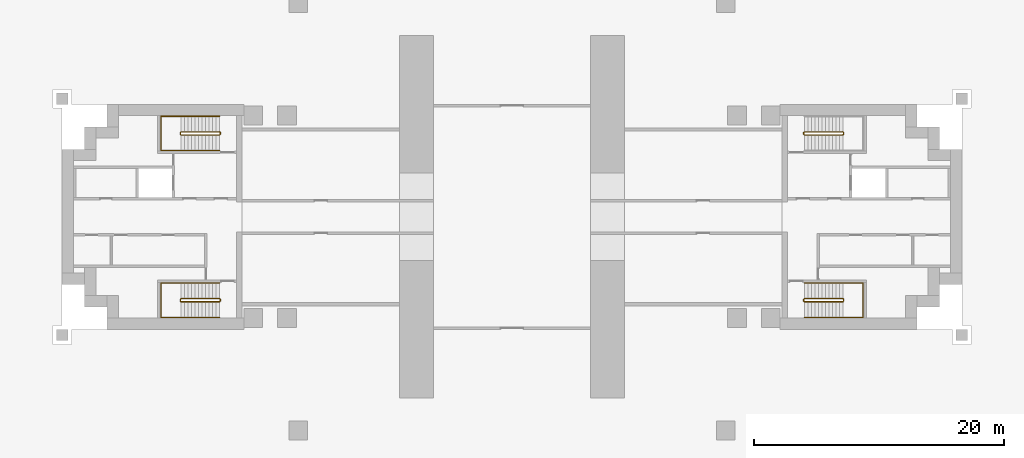
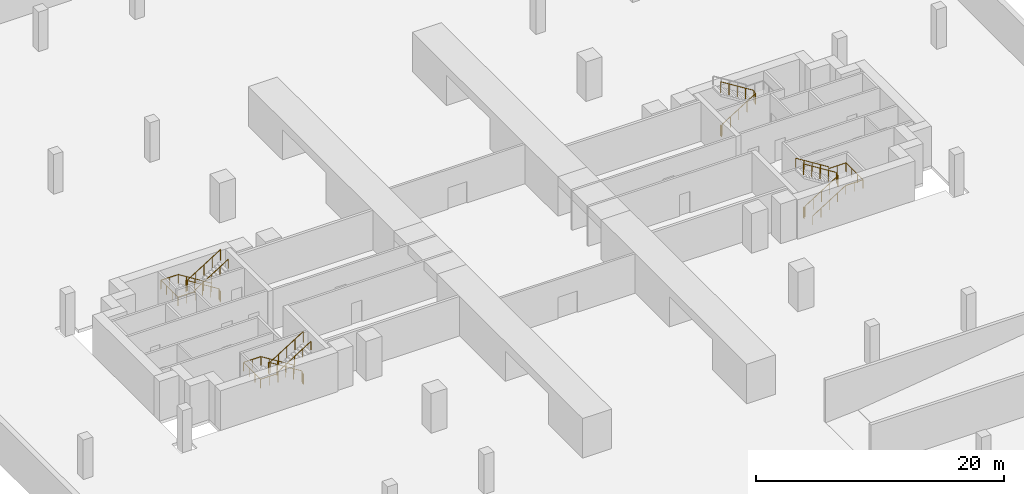
# One storey, part 7 of 8: 7 railings.
"""IFC4 building model written with IfcOpenShell, lengths in metres."""

from ifc_helpers import new_model, si_unit, direction, frame, origin, origin_2d, place, context, subcontext, project, spatial, rectangle, extrude, material, type_object, element, save


model = new_model("IFC4")

# Units and contexts
model_context = context("Model", 3, precision=1e-05, world=origin(), true_north=direction((0.0, 1.0)))
body_context = subcontext(model_context, "Body", "Model", "MODEL_VIEW")
ifc_project = project(units=[si_unit("LENGTHUNIT", "METRE"), si_unit("AREAUNIT", "SQUARE_METRE"), si_unit("VOLUMEUNIT", "CUBIC_METRE"), si_unit("PLANEANGLEUNIT", "RADIAN"), si_unit("MASSUNIT", "GRAM", prefix="KILO")], contexts=[model_context])

# Site, building, storey
site_placement = place(None, origin())
site = spatial("IfcSite", under=ifc_project, at=site_placement, CompositionType="ELEMENT")
building_placement = place(site_placement, origin())
building = spatial("IfcBuilding", under=site, at=building_placement, Name="Perihelion Cross Residences", CompositionType="ELEMENT")
storey_placement = place(building_placement, frame((0.0, 0.0, -12.89990234375)))
storey = spatial("IfcBuildingStorey", under=building, at=storey_placement, Name="B3", CompositionType="ELEMENT", Elevation=-12.89990234375)

# Railings
ifc_material_1 = material(Name="Stainless steel", Category="steel")
railing_type_1 = type_object("IfcRailingType", Name="Stair guard 1100", PredefinedType="GUARDRAIL", material=ifc_material_1)
railing_1_placement = place(storey_placement, frame((23.35009765625, 6.75, 0.0)))
element("IfcRailing", 1, at=railing_1_placement, inside=storey, type_object=railing_type_1, Name="B3 ST-E1 stair guard 1", PredefinedType="GUARDRAIL", context=body_context, shape_type="SweptSolid", body=[
    extrude(rectangle(XDim=0.048095703125, YDim=0.048095703125, at=origin_2d()), frame((0.0, 0.0, 1.076171875), z_axis=(0.0, -1.0, 0.0), x_axis=(1.0, 0.0, 0.0)), (0.0, 0.0, 1.0), 0.14990234375),
    extrude(rectangle(XDim=0.048095703125, YDim=0.048095703125, at=origin_2d()), frame((0.0, -0.14990234375, 1.076171875), z_axis=(0.264179342666, -0.265474339444, 0.927217692888), x_axis=(0.708833529934, 0.705375805398, 0.0)), (0.0, 0.0, 1.0), 0.1884765625),
    extrude(rectangle(XDim=0.048095703125, YDim=0.048095703125, at=origin_2d()), frame((0.0498046875, -0.199951171875, 1.2509765625), z_axis=(0.847998304005, 0.0, 0.529998940003), x_axis=(0.0, 1.0, 0.0)), (0.0, 0.0, 1.0), 3.632080078125),
    extrude(rectangle(XDim=0.048095703125, YDim=0.048095703125, at=origin_2d()), frame((3.1298828125, -0.199951171875, 3.17578125), z_axis=(0.707106781187, 0.707106781187, 0.0), x_axis=(-0.707106781187, 0.707106781187, 0.0)), (0.0, 0.0, 1.0), 0.07080078125),
    extrude(rectangle(XDim=0.048095703125, YDim=0.048095703125, at=origin_2d()), frame((3.179931640625, -0.14990234375, 3.17578125), z_axis=(0.0, 1.0, 0.0), x_axis=(-1.0, 0.0, 0.0)), (0.0, 0.0, 1.0), 0.14990234375),
    extrude(rectangle(XDim=0.048095703125, YDim=0.048095703125, at=origin_2d()), frame((3.179931640625, 0.0, 3.17578125), z_axis=(-0.265065253269, 0.265065253269, 0.927081885822), x_axis=(-0.707106781187, -0.707106781187, 0.0)), (0.0, 0.0, 1.0), 0.188720703125),
    extrude(rectangle(XDim=0.048095703125, YDim=0.048095703125, at=origin_2d()), frame((3.1298828125, 0.050048828125, 3.35107421875), z_axis=(-0.847998304005, 0.0, 0.529998940003), x_axis=(0.0, -1.0, 0.0)), (0.0, 0.0, 1.0), 3.632080078125),
    extrude(rectangle(XDim=0.0419921875, YDim=0.0419921875, at=origin_2d()), origin(), (0.0, 0.0, 1.0), 1.052001953125),
    extrude(rectangle(XDim=0.0419921875, YDim=0.0419921875, at=origin_2d()), frame((0.0, -0.14990234375, 0.0)), (0.0, 0.0, 1.0), 1.052001953125),
    extrude(rectangle(XDim=0.0419921875, YDim=0.0419921875, at=origin_2d()), frame((0.0498046875, -0.199951171875, 0.1748046875)), (0.0, 0.0, 1.0), 1.052001953125),
    extrude(rectangle(XDim=0.0419921875, YDim=0.0419921875, at=origin_2d()), frame((0.81982421875, -0.199951171875, 0.656005859375)), (0.0, 0.0, 1.0), 1.052001953125),
    extrude(rectangle(XDim=0.0419921875, YDim=0.0419921875, at=origin_2d()), frame((1.58984375, -0.199951171875, 1.13720703125)), (0.0, 0.0, 1.0), 1.052001953125),
    extrude(rectangle(XDim=0.0419921875, YDim=0.0419921875, at=origin_2d()), frame((2.35986328125, -0.199951171875, 1.61865234375)), (0.0, 0.0, 1.0), 1.052001953125),
    extrude(rectangle(XDim=0.0419921875, YDim=0.0419921875, at=origin_2d()), frame((3.1298828125, -0.199951171875, 2.099853515625)), (0.0, 0.0, 1.0), 1.052001953125),
    extrude(rectangle(XDim=0.0419921875, YDim=0.0419921875, at=origin_2d()), frame((3.179931640625, -0.14990234375, 2.099853515625)), (0.0, 0.0, 1.0), 1.052001953125),
    extrude(rectangle(XDim=0.0419921875, YDim=0.0419921875, at=origin_2d()), frame((3.179931640625, 0.0, 2.099853515625)), (0.0, 0.0, 1.0), 1.052001953125),
    extrude(rectangle(XDim=0.0419921875, YDim=0.0419921875, at=origin_2d()), frame((3.1298828125, 0.050048828125, 2.27490234375)), (0.0, 0.0, 1.0), 1.052001953125),
    extrude(rectangle(XDim=0.0419921875, YDim=0.0419921875, at=origin_2d()), frame((2.35986328125, 0.050048828125, 2.756103515625)), (0.0, 0.0, 1.0), 1.052001953125),
    extrude(rectangle(XDim=0.0419921875, YDim=0.0419921875, at=origin_2d()), frame((1.58984375, 0.050048828125, 3.2373046875)), (0.0, 0.0, 1.0), 1.052001953125),
    extrude(rectangle(XDim=0.0419921875, YDim=0.0419921875, at=origin_2d()), frame((0.81982421875, 0.050048828125, 3.71875)), (0.0, 0.0, 1.0), 1.052001953125),
    extrude(rectangle(XDim=0.0419921875, YDim=0.0419921875, at=origin_2d()), frame((0.0498046875, 0.050048828125, 4.199951171875)), (0.0, 0.0, 1.0), 1.052001953125),
])
railing_2_placement = place(storey_placement, frame((23.35009765625, -6.60009765625, 0.0)))
element("IfcRailing", 2, at=railing_2_placement, inside=storey, type_object=railing_type_1, Name="B3 ST-E2 stair guard 1", PredefinedType="GUARDRAIL", context=body_context, shape_type="SweptSolid", body=[
    extrude(rectangle(XDim=0.048095703125, YDim=0.048095703125, at=origin_2d()), frame((0.0, 0.0, 1.076171875), z_axis=(0.0, -1.0, 0.0), x_axis=(1.0, 0.0, 0.0)), (0.0, 0.0, 1.0), 0.14990234375),
    extrude(rectangle(XDim=0.048095703125, YDim=0.048095703125, at=origin_2d()), frame((0.0, -0.14990234375, 1.076171875), z_axis=(0.264179342666, -0.265474339444, 0.927217692888), x_axis=(0.708833529934, 0.705375805398, 0.0)), (0.0, 0.0, 1.0), 0.1884765625),
    extrude(rectangle(XDim=0.048095703125, YDim=0.048095703125, at=origin_2d()), frame((0.0498046875, -0.199951171875, 1.2509765625), z_axis=(0.847998304005, 0.0, 0.529998940003), x_axis=(0.0, 1.0, 0.0)), (0.0, 0.0, 1.0), 3.632080078125),
    extrude(rectangle(XDim=0.048095703125, YDim=0.048095703125, at=origin_2d()), frame((3.1298828125, -0.199951171875, 3.17578125), z_axis=(0.707106781187, 0.707106781187, 0.0), x_axis=(-0.707106781187, 0.707106781187, 0.0)), (0.0, 0.0, 1.0), 0.07080078125),
    extrude(rectangle(XDim=0.048095703125, YDim=0.048095703125, at=origin_2d()), frame((3.179931640625, -0.14990234375, 3.17578125), z_axis=(0.0, 1.0, 0.0), x_axis=(-1.0, 0.0, 0.0)), (0.0, 0.0, 1.0), 0.14990234375),
    extrude(rectangle(XDim=0.048095703125, YDim=0.048095703125, at=origin_2d()), frame((3.179931640625, 0.0, 3.17578125), z_axis=(-0.265065253269, 0.265065253269, 0.927081885822), x_axis=(-0.707106781187, -0.707106781187, 0.0)), (0.0, 0.0, 1.0), 0.188720703125),
    extrude(rectangle(XDim=0.048095703125, YDim=0.048095703125, at=origin_2d()), frame((3.1298828125, 0.050048828125, 3.35107421875), z_axis=(-0.847998304005, 0.0, 0.529998940003), x_axis=(0.0, -1.0, 0.0)), (0.0, 0.0, 1.0), 3.632080078125),
    extrude(rectangle(XDim=0.0419921875, YDim=0.0419921875, at=origin_2d()), origin(), (0.0, 0.0, 1.0), 1.052001953125),
    extrude(rectangle(XDim=0.0419921875, YDim=0.0419921875, at=origin_2d()), frame((0.0, -0.14990234375, 0.0)), (0.0, 0.0, 1.0), 1.052001953125),
    extrude(rectangle(XDim=0.0419921875, YDim=0.0419921875, at=origin_2d()), frame((0.0498046875, -0.199951171875, 0.1748046875)), (0.0, 0.0, 1.0), 1.052001953125),
    extrude(rectangle(XDim=0.0419921875, YDim=0.0419921875, at=origin_2d()), frame((0.81982421875, -0.199951171875, 0.656005859375)), (0.0, 0.0, 1.0), 1.052001953125),
    extrude(rectangle(XDim=0.0419921875, YDim=0.0419921875, at=origin_2d()), frame((1.58984375, -0.199951171875, 1.13720703125)), (0.0, 0.0, 1.0), 1.052001953125),
    extrude(rectangle(XDim=0.0419921875, YDim=0.0419921875, at=origin_2d()), frame((2.35986328125, -0.199951171875, 1.61865234375)), (0.0, 0.0, 1.0), 1.052001953125),
    extrude(rectangle(XDim=0.0419921875, YDim=0.0419921875, at=origin_2d()), frame((3.1298828125, -0.199951171875, 2.099853515625)), (0.0, 0.0, 1.0), 1.052001953125),
    extrude(rectangle(XDim=0.0419921875, YDim=0.0419921875, at=origin_2d()), frame((3.179931640625, -0.14990234375, 2.099853515625)), (0.0, 0.0, 1.0), 1.052001953125),
    extrude(rectangle(XDim=0.0419921875, YDim=0.0419921875, at=origin_2d()), frame((3.179931640625, 0.0, 2.099853515625)), (0.0, 0.0, 1.0), 1.052001953125),
    extrude(rectangle(XDim=0.0419921875, YDim=0.0419921875, at=origin_2d()), frame((3.1298828125, 0.050048828125, 2.27490234375)), (0.0, 0.0, 1.0), 1.052001953125),
    extrude(rectangle(XDim=0.0419921875, YDim=0.0419921875, at=origin_2d()), frame((2.35986328125, 0.050048828125, 2.756103515625)), (0.0, 0.0, 1.0), 1.052001953125),
    extrude(rectangle(XDim=0.0419921875, YDim=0.0419921875, at=origin_2d()), frame((1.58984375, 0.050048828125, 3.2373046875)), (0.0, 0.0, 1.0), 1.052001953125),
    extrude(rectangle(XDim=0.0419921875, YDim=0.0419921875, at=origin_2d()), frame((0.81982421875, 0.050048828125, 3.71875)), (0.0, 0.0, 1.0), 1.052001953125),
    extrude(rectangle(XDim=0.0419921875, YDim=0.0419921875, at=origin_2d()), frame((0.0498046875, 0.050048828125, 4.199951171875)), (0.0, 0.0, 1.0), 1.052001953125),
])
railing_3_placement = place(storey_placement, frame((-23.35009765625, 6.60009765625, 0.0)))
element("IfcRailing", 3, at=railing_3_placement, inside=storey, type_object=railing_type_1, Name="B3 ST-W1 stair guard 1", PredefinedType="GUARDRAIL", context=body_context, shape_type="SweptSolid", body=[
    extrude(rectangle(XDim=0.048095703125, YDim=0.048095703125, at=origin_2d()), frame((0.0, 0.0, 1.076171875), z_axis=(0.0, 1.0, 0.0), x_axis=(-1.0, 0.0, 0.0)), (0.0, 0.0, 1.0), 0.14990234375),
    extrude(rectangle(XDim=0.048095703125, YDim=0.048095703125, at=origin_2d()), frame((0.0, 0.14990234375, 1.076171875), z_axis=(-0.264179342666, 0.265474339444, 0.927217692888), x_axis=(-0.708833529934, -0.705375805398, 0.0)), (0.0, 0.0, 1.0), 0.1884765625),
    extrude(rectangle(XDim=0.048095703125, YDim=0.048095703125, at=origin_2d()), frame((-0.0498046875, 0.199951171875, 1.2509765625), z_axis=(-0.847998304005, 0.0, 0.529998940003), x_axis=(0.0, -1.0, 0.0)), (0.0, 0.0, 1.0), 3.632080078125),
    extrude(rectangle(XDim=0.048095703125, YDim=0.048095703125, at=origin_2d()), frame((-3.1298828125, 0.199951171875, 3.17578125), z_axis=(-0.707106781187, -0.707106781187, 0.0), x_axis=(0.707106781187, -0.707106781187, 0.0)), (0.0, 0.0, 1.0), 0.07080078125),
    extrude(rectangle(XDim=0.048095703125, YDim=0.048095703125, at=origin_2d()), frame((-3.179931640625, 0.14990234375, 3.17578125), z_axis=(0.0, -1.0, 0.0), x_axis=(1.0, 0.0, 0.0)), (0.0, 0.0, 1.0), 0.14990234375),
    extrude(rectangle(XDim=0.048095703125, YDim=0.048095703125, at=origin_2d()), frame((-3.179931640625, 0.0, 3.17578125), z_axis=(0.265065253269, -0.265065253269, 0.927081885822), x_axis=(0.707106781187, 0.707106781187, 0.0)), (0.0, 0.0, 1.0), 0.188720703125),
    extrude(rectangle(XDim=0.048095703125, YDim=0.048095703125, at=origin_2d()), frame((-3.1298828125, -0.050048828125, 3.35107421875), z_axis=(0.847998304005, 0.0, 0.529998940003), x_axis=(0.0, 1.0, 0.0)), (0.0, 0.0, 1.0), 3.632080078125),
    extrude(rectangle(XDim=0.0419921875, YDim=0.0419921875, at=origin_2d()), origin(), (0.0, 0.0, 1.0), 1.052001953125),
    extrude(rectangle(XDim=0.0419921875, YDim=0.0419921875, at=origin_2d()), frame((0.0, 0.14990234375, 0.0)), (0.0, 0.0, 1.0), 1.052001953125),
    extrude(rectangle(XDim=0.0419921875, YDim=0.0419921875, at=origin_2d()), frame((-0.0498046875, 0.199951171875, 0.1748046875)), (0.0, 0.0, 1.0), 1.052001953125),
    extrude(rectangle(XDim=0.0419921875, YDim=0.0419921875, at=origin_2d()), frame((-0.81982421875, 0.199951171875, 0.656005859375)), (0.0, 0.0, 1.0), 1.052001953125),
    extrude(rectangle(XDim=0.0419921875, YDim=0.0419921875, at=origin_2d()), frame((-1.58984375, 0.199951171875, 1.13720703125)), (0.0, 0.0, 1.0), 1.052001953125),
    extrude(rectangle(XDim=0.0419921875, YDim=0.0419921875, at=origin_2d()), frame((-2.35986328125, 0.199951171875, 1.61865234375)), (0.0, 0.0, 1.0), 1.052001953125),
    extrude(rectangle(XDim=0.0419921875, YDim=0.0419921875, at=origin_2d()), frame((-3.1298828125, 0.199951171875, 2.099853515625)), (0.0, 0.0, 1.0), 1.052001953125),
    extrude(rectangle(XDim=0.0419921875, YDim=0.0419921875, at=origin_2d()), frame((-3.179931640625, 0.14990234375, 2.099853515625)), (0.0, 0.0, 1.0), 1.052001953125),
    extrude(rectangle(XDim=0.0419921875, YDim=0.0419921875, at=origin_2d()), frame((-3.179931640625, 0.0, 2.099853515625)), (0.0, 0.0, 1.0), 1.052001953125),
    extrude(rectangle(XDim=0.0419921875, YDim=0.0419921875, at=origin_2d()), frame((-3.1298828125, -0.050048828125, 2.27490234375)), (0.0, 0.0, 1.0), 1.052001953125),
    extrude(rectangle(XDim=0.0419921875, YDim=0.0419921875, at=origin_2d()), frame((-2.35986328125, -0.050048828125, 2.756103515625)), (0.0, 0.0, 1.0), 1.052001953125),
    extrude(rectangle(XDim=0.0419921875, YDim=0.0419921875, at=origin_2d()), frame((-1.58984375, -0.050048828125, 3.2373046875)), (0.0, 0.0, 1.0), 1.052001953125),
    extrude(rectangle(XDim=0.0419921875, YDim=0.0419921875, at=origin_2d()), frame((-0.81982421875, -0.050048828125, 3.71875)), (0.0, 0.0, 1.0), 1.052001953125),
    extrude(rectangle(XDim=0.0419921875, YDim=0.0419921875, at=origin_2d()), frame((-0.0498046875, -0.050048828125, 4.199951171875)), (0.0, 0.0, 1.0), 1.052001953125),
])
railing_4_placement = place(storey_placement, frame((-23.35009765625, -6.75, 0.0)))
element("IfcRailing", 4, at=railing_4_placement, inside=storey, type_object=railing_type_1, Name="B3 ST-W2 stair guard 1", PredefinedType="GUARDRAIL", context=body_context, shape_type="SweptSolid", body=[
    extrude(rectangle(XDim=0.048095703125, YDim=0.048095703125, at=origin_2d()), frame((0.0, 0.0, 1.076171875), z_axis=(0.0, 1.0, 0.0), x_axis=(-1.0, 0.0, 0.0)), (0.0, 0.0, 1.0), 0.14990234375),
    extrude(rectangle(XDim=0.048095703125, YDim=0.048095703125, at=origin_2d()), frame((0.0, 0.14990234375, 1.076171875), z_axis=(-0.264179342666, 0.265474339444, 0.927217692888), x_axis=(-0.708833529934, -0.705375805398, 0.0)), (0.0, 0.0, 1.0), 0.1884765625),
    extrude(rectangle(XDim=0.048095703125, YDim=0.048095703125, at=origin_2d()), frame((-0.0498046875, 0.199951171875, 1.2509765625), z_axis=(-0.847998304005, 0.0, 0.529998940003), x_axis=(0.0, -1.0, 0.0)), (0.0, 0.0, 1.0), 3.632080078125),
    extrude(rectangle(XDim=0.048095703125, YDim=0.048095703125, at=origin_2d()), frame((-3.1298828125, 0.199951171875, 3.17578125), z_axis=(-0.707106781187, -0.707106781187, 0.0), x_axis=(0.707106781187, -0.707106781187, 0.0)), (0.0, 0.0, 1.0), 0.07080078125),
    extrude(rectangle(XDim=0.048095703125, YDim=0.048095703125, at=origin_2d()), frame((-3.179931640625, 0.14990234375, 3.17578125), z_axis=(0.0, -1.0, 0.0), x_axis=(1.0, 0.0, 0.0)), (0.0, 0.0, 1.0), 0.14990234375),
    extrude(rectangle(XDim=0.048095703125, YDim=0.048095703125, at=origin_2d()), frame((-3.179931640625, 0.0, 3.17578125), z_axis=(0.265065253269, -0.265065253269, 0.927081885822), x_axis=(0.707106781187, 0.707106781187, 0.0)), (0.0, 0.0, 1.0), 0.188720703125),
    extrude(rectangle(XDim=0.048095703125, YDim=0.048095703125, at=origin_2d()), frame((-3.1298828125, -0.050048828125, 3.35107421875), z_axis=(0.847998304005, 0.0, 0.529998940003), x_axis=(0.0, 1.0, 0.0)), (0.0, 0.0, 1.0), 3.632080078125),
    extrude(rectangle(XDim=0.0419921875, YDim=0.0419921875, at=origin_2d()), origin(), (0.0, 0.0, 1.0), 1.052001953125),
    extrude(rectangle(XDim=0.0419921875, YDim=0.0419921875, at=origin_2d()), frame((0.0, 0.14990234375, 0.0)), (0.0, 0.0, 1.0), 1.052001953125),
    extrude(rectangle(XDim=0.0419921875, YDim=0.0419921875, at=origin_2d()), frame((-0.0498046875, 0.199951171875, 0.1748046875)), (0.0, 0.0, 1.0), 1.052001953125),
    extrude(rectangle(XDim=0.0419921875, YDim=0.0419921875, at=origin_2d()), frame((-0.81982421875, 0.199951171875, 0.656005859375)), (0.0, 0.0, 1.0), 1.052001953125),
    extrude(rectangle(XDim=0.0419921875, YDim=0.0419921875, at=origin_2d()), frame((-1.58984375, 0.199951171875, 1.13720703125)), (0.0, 0.0, 1.0), 1.052001953125),
    extrude(rectangle(XDim=0.0419921875, YDim=0.0419921875, at=origin_2d()), frame((-2.35986328125, 0.199951171875, 1.61865234375)), (0.0, 0.0, 1.0), 1.052001953125),
    extrude(rectangle(XDim=0.0419921875, YDim=0.0419921875, at=origin_2d()), frame((-3.1298828125, 0.199951171875, 2.099853515625)), (0.0, 0.0, 1.0), 1.052001953125),
    extrude(rectangle(XDim=0.0419921875, YDim=0.0419921875, at=origin_2d()), frame((-3.179931640625, 0.14990234375, 2.099853515625)), (0.0, 0.0, 1.0), 1.052001953125),
    extrude(rectangle(XDim=0.0419921875, YDim=0.0419921875, at=origin_2d()), frame((-3.179931640625, 0.0, 2.099853515625)), (0.0, 0.0, 1.0), 1.052001953125),
    extrude(rectangle(XDim=0.0419921875, YDim=0.0419921875, at=origin_2d()), frame((-3.1298828125, -0.050048828125, 2.27490234375)), (0.0, 0.0, 1.0), 1.052001953125),
    extrude(rectangle(XDim=0.0419921875, YDim=0.0419921875, at=origin_2d()), frame((-2.35986328125, -0.050048828125, 2.756103515625)), (0.0, 0.0, 1.0), 1.052001953125),
    extrude(rectangle(XDim=0.0419921875, YDim=0.0419921875, at=origin_2d()), frame((-1.58984375, -0.050048828125, 3.2373046875)), (0.0, 0.0, 1.0), 1.052001953125),
    extrude(rectangle(XDim=0.0419921875, YDim=0.0419921875, at=origin_2d()), frame((-0.81982421875, -0.050048828125, 3.71875)), (0.0, 0.0, 1.0), 1.052001953125),
    extrude(rectangle(XDim=0.0419921875, YDim=0.0419921875, at=origin_2d()), frame((-0.0498046875, -0.050048828125, 4.199951171875)), (0.0, 0.0, 1.0), 1.052001953125),
])
ifc_material_2 = material(Name="Stainless steel", Category="steel")
railing_type_2 = type_object("IfcRailingType", Name="Stair handrail 900", PredefinedType="HANDRAIL", material=ifc_material_2)
railing_5_placement = place(storey_placement, frame((23.39990234375, -8.050048828125, 0.1748046875)))
element("IfcRailing", 5, at=railing_5_placement, inside=storey, type_object=railing_type_2, Name="B3 ST-E2 stair handrail 1", PredefinedType="HANDRAIL", context=body_context, shape_type="SweptSolid", body=[
    extrude(rectangle(XDim=0.048095703125, YDim=0.048095703125, at=origin_2d()), frame((0.0, 0.0, 0.8759765625), z_axis=(0.847998304005, 0.0, 0.529998940003), x_axis=(0.0, 1.0, 0.0)), (0.0, 0.0, 1.0), 3.632080078125),
    extrude(rectangle(XDim=0.048095703125, YDim=0.048095703125, at=origin_2d()), frame((3.080078125, 0.0, 2.80078125), z_axis=(1.0, 0.0, 0.0), x_axis=(0.0, 1.0, 0.0)), (0.0, 0.0, 1.0), 1.6201171875),
    extrude(rectangle(XDim=0.048095703125, YDim=0.048095703125, at=origin_2d()), frame((4.7001953125, 0.0, 2.80078125), z_axis=(0.0, 1.0, 0.0), x_axis=(-1.0, 0.0, 0.0)), (0.0, 0.0, 1.0), 2.75),
    extrude(rectangle(XDim=0.048095703125, YDim=0.048095703125, at=origin_2d()), frame((4.7001953125, 2.75, 2.80078125), z_axis=(-1.0, 0.0, 0.0), x_axis=(0.0, -1.0, 0.0)), (0.0, 0.0, 1.0), 1.6201171875),
    extrude(rectangle(XDim=0.048095703125, YDim=0.048095703125, at=origin_2d()), frame((3.080078125, 2.75, 2.80078125), z_axis=(0.0, 0.0, 1.0), x_axis=(1.0, 0.0, 0.0)), (0.0, 0.0, 1.0), 0.175048828125),
    extrude(rectangle(XDim=0.048095703125, YDim=0.048095703125, at=origin_2d()), frame((3.080078125, 2.75, 2.97607421875), z_axis=(-0.847998304005, 0.0, 0.529998940003), x_axis=(0.0, -1.0, 0.0)), (0.0, 0.0, 1.0), 3.632080078125),
    extrude(rectangle(XDim=0.0419921875, YDim=0.0419921875, at=origin_2d()), origin(), (0.0, 0.0, 1.0), 0.851806640625),
    extrude(rectangle(XDim=0.0419921875, YDim=0.0419921875, at=origin_2d()), frame((0.77001953125, 0.0, 0.481201171875)), (0.0, 0.0, 1.0), 0.851806640625),
    extrude(rectangle(XDim=0.0419921875, YDim=0.0419921875, at=origin_2d()), frame((1.5400390625, 0.0, 0.96240234375)), (0.0, 0.0, 1.0), 0.851806640625),
    extrude(rectangle(XDim=0.0419921875, YDim=0.0419921875, at=origin_2d()), frame((2.31005859375, 0.0, 1.44384765625)), (0.0, 0.0, 1.0), 0.851806640625),
    extrude(rectangle(XDim=0.0419921875, YDim=0.0419921875, at=origin_2d()), frame((3.080078125, 0.0, 1.925048828125)), (0.0, 0.0, 1.0), 0.851806640625),
    extrude(rectangle(XDim=0.0419921875, YDim=0.0419921875, at=origin_2d()), frame((3.89013671875, 0.0, 1.925048828125)), (0.0, 0.0, 1.0), 0.851806640625),
    extrude(rectangle(XDim=0.0419921875, YDim=0.0419921875, at=origin_2d()), frame((4.7001953125, 0.0, 1.925048828125)), (0.0, 0.0, 1.0), 0.851806640625),
    extrude(rectangle(XDim=0.0419921875, YDim=0.0419921875, at=origin_2d()), frame((4.7001953125, 0.916748046875, 1.925048828125)), (0.0, 0.0, 1.0), 0.851806640625),
    extrude(rectangle(XDim=0.0419921875, YDim=0.0419921875, at=origin_2d()), frame((4.7001953125, 1.833251953125, 1.925048828125)), (0.0, 0.0, 1.0), 0.851806640625),
    extrude(rectangle(XDim=0.0419921875, YDim=0.0419921875, at=origin_2d()), frame((4.7001953125, 2.75, 1.925048828125)), (0.0, 0.0, 1.0), 0.851806640625),
    extrude(rectangle(XDim=0.0419921875, YDim=0.0419921875, at=origin_2d()), frame((3.89013671875, 2.75, 1.925048828125)), (0.0, 0.0, 1.0), 0.851806640625),
    extrude(rectangle(XDim=0.0419921875, YDim=0.0419921875, at=origin_2d()), frame((3.080078125, 2.75, 1.925048828125)), (0.0, 0.0, 1.0), 0.851806640625),
    extrude(rectangle(XDim=0.0419921875, YDim=0.0419921875, at=origin_2d()), frame((3.080078125, 2.75, 2.10009765625)), (0.0, 0.0, 1.0), 0.851806640625),
    extrude(rectangle(XDim=0.0419921875, YDim=0.0419921875, at=origin_2d()), frame((2.31005859375, 2.75, 2.581298828125)), (0.0, 0.0, 1.0), 0.851806640625),
    extrude(rectangle(XDim=0.0419921875, YDim=0.0419921875, at=origin_2d()), frame((1.5400390625, 2.75, 3.0625)), (0.0, 0.0, 1.0), 0.851806640625),
    extrude(rectangle(XDim=0.0419921875, YDim=0.0419921875, at=origin_2d()), frame((0.77001953125, 2.75, 3.5439453125)), (0.0, 0.0, 1.0), 0.851806640625),
    extrude(rectangle(XDim=0.0419921875, YDim=0.0419921875, at=origin_2d()), frame((0.0, 2.75, 4.025146484375)), (0.0, 0.0, 1.0), 0.851806640625),
])
railing_6_placement = place(storey_placement, frame((-23.39990234375, 8.050048828125, 0.1748046875)))
element("IfcRailing", 6, at=railing_6_placement, inside=storey, type_object=railing_type_2, Name="B3 ST-W1 stair handrail 1", PredefinedType="HANDRAIL", context=body_context, shape_type="SweptSolid", body=[
    extrude(rectangle(XDim=0.048095703125, YDim=0.048095703125, at=origin_2d()), frame((0.0, 0.0, 0.8759765625), z_axis=(-0.847998304005, 0.0, 0.529998940003), x_axis=(0.0, -1.0, 0.0)), (0.0, 0.0, 1.0), 3.632080078125),
    extrude(rectangle(XDim=0.048095703125, YDim=0.048095703125, at=origin_2d()), frame((-3.080078125, 0.0, 2.80078125), z_axis=(-1.0, 0.0, 0.0), x_axis=(0.0, -1.0, 0.0)), (0.0, 0.0, 1.0), 1.6201171875),
    extrude(rectangle(XDim=0.048095703125, YDim=0.048095703125, at=origin_2d()), frame((-4.7001953125, 0.0, 2.80078125), z_axis=(0.0, -1.0, 0.0), x_axis=(1.0, 0.0, 0.0)), (0.0, 0.0, 1.0), 2.75),
    extrude(rectangle(XDim=0.048095703125, YDim=0.048095703125, at=origin_2d()), frame((-4.7001953125, -2.75, 2.80078125), z_axis=(1.0, 0.0, 0.0), x_axis=(0.0, 1.0, 0.0)), (0.0, 0.0, 1.0), 1.6201171875),
    extrude(rectangle(XDim=0.048095703125, YDim=0.048095703125, at=origin_2d()), frame((-3.080078125, -2.75, 2.80078125), z_axis=(0.0, 0.0, 1.0), x_axis=(1.0, 0.0, 0.0)), (0.0, 0.0, 1.0), 0.175048828125),
    extrude(rectangle(XDim=0.048095703125, YDim=0.048095703125, at=origin_2d()), frame((-3.080078125, -2.75, 2.97607421875), z_axis=(0.847998304005, 0.0, 0.529998940003), x_axis=(0.0, 1.0, 0.0)), (0.0, 0.0, 1.0), 3.632080078125),
    extrude(rectangle(XDim=0.0419921875, YDim=0.0419921875, at=origin_2d()), origin(), (0.0, 0.0, 1.0), 0.851806640625),
    extrude(rectangle(XDim=0.0419921875, YDim=0.0419921875, at=origin_2d()), frame((-0.77001953125, 0.0, 0.481201171875)), (0.0, 0.0, 1.0), 0.851806640625),
    extrude(rectangle(XDim=0.0419921875, YDim=0.0419921875, at=origin_2d()), frame((-1.5400390625, 0.0, 0.96240234375)), (0.0, 0.0, 1.0), 0.851806640625),
    extrude(rectangle(XDim=0.0419921875, YDim=0.0419921875, at=origin_2d()), frame((-2.31005859375, 0.0, 1.44384765625)), (0.0, 0.0, 1.0), 0.851806640625),
    extrude(rectangle(XDim=0.0419921875, YDim=0.0419921875, at=origin_2d()), frame((-3.080078125, 0.0, 1.925048828125)), (0.0, 0.0, 1.0), 0.851806640625),
    extrude(rectangle(XDim=0.0419921875, YDim=0.0419921875, at=origin_2d()), frame((-3.89013671875, 0.0, 1.925048828125)), (0.0, 0.0, 1.0), 0.851806640625),
    extrude(rectangle(XDim=0.0419921875, YDim=0.0419921875, at=origin_2d()), frame((-4.7001953125, 0.0, 1.925048828125)), (0.0, 0.0, 1.0), 0.851806640625),
    extrude(rectangle(XDim=0.0419921875, YDim=0.0419921875, at=origin_2d()), frame((-4.7001953125, -0.916748046875, 1.925048828125)), (0.0, 0.0, 1.0), 0.851806640625),
    extrude(rectangle(XDim=0.0419921875, YDim=0.0419921875, at=origin_2d()), frame((-4.7001953125, -1.833251953125, 1.925048828125)), (0.0, 0.0, 1.0), 0.851806640625),
    extrude(rectangle(XDim=0.0419921875, YDim=0.0419921875, at=origin_2d()), frame((-4.7001953125, -2.75, 1.925048828125)), (0.0, 0.0, 1.0), 0.851806640625),
    extrude(rectangle(XDim=0.0419921875, YDim=0.0419921875, at=origin_2d()), frame((-3.89013671875, -2.75, 1.925048828125)), (0.0, 0.0, 1.0), 0.851806640625),
    extrude(rectangle(XDim=0.0419921875, YDim=0.0419921875, at=origin_2d()), frame((-3.080078125, -2.75, 1.925048828125)), (0.0, 0.0, 1.0), 0.851806640625),
    extrude(rectangle(XDim=0.0419921875, YDim=0.0419921875, at=origin_2d()), frame((-3.080078125, -2.75, 2.10009765625)), (0.0, 0.0, 1.0), 0.851806640625),
    extrude(rectangle(XDim=0.0419921875, YDim=0.0419921875, at=origin_2d()), frame((-2.31005859375, -2.75, 2.581298828125)), (0.0, 0.0, 1.0), 0.851806640625),
    extrude(rectangle(XDim=0.0419921875, YDim=0.0419921875, at=origin_2d()), frame((-1.5400390625, -2.75, 3.0625)), (0.0, 0.0, 1.0), 0.851806640625),
    extrude(rectangle(XDim=0.0419921875, YDim=0.0419921875, at=origin_2d()), frame((-0.77001953125, -2.75, 3.5439453125)), (0.0, 0.0, 1.0), 0.851806640625),
    extrude(rectangle(XDim=0.0419921875, YDim=0.0419921875, at=origin_2d()), frame((0.0, -2.75, 4.025146484375)), (0.0, 0.0, 1.0), 0.851806640625),
])
railing_7_placement = place(storey_placement, frame((-23.39990234375, -5.300048828125, 0.1748046875)))
element("IfcRailing", 7, at=railing_7_placement, inside=storey, type_object=railing_type_2, Name="B3 ST-W2 stair handrail 1", PredefinedType="HANDRAIL", context=body_context, shape_type="SweptSolid", body=[
    extrude(rectangle(XDim=0.048095703125, YDim=0.048095703125, at=origin_2d()), frame((0.0, 0.0, 0.8759765625), z_axis=(-0.847998304005, 0.0, 0.529998940003), x_axis=(0.0, -1.0, 0.0)), (0.0, 0.0, 1.0), 3.632080078125),
    extrude(rectangle(XDim=0.048095703125, YDim=0.048095703125, at=origin_2d()), frame((-3.080078125, 0.0, 2.80078125), z_axis=(-1.0, 0.0, 0.0), x_axis=(0.0, -1.0, 0.0)), (0.0, 0.0, 1.0), 1.6201171875),
    extrude(rectangle(XDim=0.048095703125, YDim=0.048095703125, at=origin_2d()), frame((-4.7001953125, 0.0, 2.80078125), z_axis=(0.0, -1.0, 0.0), x_axis=(1.0, 0.0, 0.0)), (0.0, 0.0, 1.0), 2.75),
    extrude(rectangle(XDim=0.048095703125, YDim=0.048095703125, at=origin_2d()), frame((-4.7001953125, -2.75, 2.80078125), z_axis=(1.0, 0.0, 0.0), x_axis=(0.0, 1.0, 0.0)), (0.0, 0.0, 1.0), 1.6201171875),
    extrude(rectangle(XDim=0.048095703125, YDim=0.048095703125, at=origin_2d()), frame((-3.080078125, -2.75, 2.80078125), z_axis=(0.0, 0.0, 1.0), x_axis=(1.0, 0.0, 0.0)), (0.0, 0.0, 1.0), 0.175048828125),
    extrude(rectangle(XDim=0.048095703125, YDim=0.048095703125, at=origin_2d()), frame((-3.080078125, -2.75, 2.97607421875), z_axis=(0.847998304005, 0.0, 0.529998940003), x_axis=(0.0, 1.0, 0.0)), (0.0, 0.0, 1.0), 3.632080078125),
    extrude(rectangle(XDim=0.0419921875, YDim=0.0419921875, at=origin_2d()), origin(), (0.0, 0.0, 1.0), 0.851806640625),
    extrude(rectangle(XDim=0.0419921875, YDim=0.0419921875, at=origin_2d()), frame((-0.77001953125, 0.0, 0.481201171875)), (0.0, 0.0, 1.0), 0.851806640625),
    extrude(rectangle(XDim=0.0419921875, YDim=0.0419921875, at=origin_2d()), frame((-1.5400390625, 0.0, 0.96240234375)), (0.0, 0.0, 1.0), 0.851806640625),
    extrude(rectangle(XDim=0.0419921875, YDim=0.0419921875, at=origin_2d()), frame((-2.31005859375, 0.0, 1.44384765625)), (0.0, 0.0, 1.0), 0.851806640625),
    extrude(rectangle(XDim=0.0419921875, YDim=0.0419921875, at=origin_2d()), frame((-3.080078125, 0.0, 1.925048828125)), (0.0, 0.0, 1.0), 0.851806640625),
    extrude(rectangle(XDim=0.0419921875, YDim=0.0419921875, at=origin_2d()), frame((-3.89013671875, 0.0, 1.925048828125)), (0.0, 0.0, 1.0), 0.851806640625),
    extrude(rectangle(XDim=0.0419921875, YDim=0.0419921875, at=origin_2d()), frame((-4.7001953125, 0.0, 1.925048828125)), (0.0, 0.0, 1.0), 0.851806640625),
    extrude(rectangle(XDim=0.0419921875, YDim=0.0419921875, at=origin_2d()), frame((-4.7001953125, -0.916748046875, 1.925048828125)), (0.0, 0.0, 1.0), 0.851806640625),
    extrude(rectangle(XDim=0.0419921875, YDim=0.0419921875, at=origin_2d()), frame((-4.7001953125, -1.833251953125, 1.925048828125)), (0.0, 0.0, 1.0), 0.851806640625),
    extrude(rectangle(XDim=0.0419921875, YDim=0.0419921875, at=origin_2d()), frame((-4.7001953125, -2.75, 1.925048828125)), (0.0, 0.0, 1.0), 0.851806640625),
    extrude(rectangle(XDim=0.0419921875, YDim=0.0419921875, at=origin_2d()), frame((-3.89013671875, -2.75, 1.925048828125)), (0.0, 0.0, 1.0), 0.851806640625),
    extrude(rectangle(XDim=0.0419921875, YDim=0.0419921875, at=origin_2d()), frame((-3.080078125, -2.75, 1.925048828125)), (0.0, 0.0, 1.0), 0.851806640625),
    extrude(rectangle(XDim=0.0419921875, YDim=0.0419921875, at=origin_2d()), frame((-3.080078125, -2.75, 2.10009765625)), (0.0, 0.0, 1.0), 0.851806640625),
    extrude(rectangle(XDim=0.0419921875, YDim=0.0419921875, at=origin_2d()), frame((-2.31005859375, -2.75, 2.581298828125)), (0.0, 0.0, 1.0), 0.851806640625),
    extrude(rectangle(XDim=0.0419921875, YDim=0.0419921875, at=origin_2d()), frame((-1.5400390625, -2.75, 3.0625)), (0.0, 0.0, 1.0), 0.851806640625),
    extrude(rectangle(XDim=0.0419921875, YDim=0.0419921875, at=origin_2d()), frame((-0.77001953125, -2.75, 3.5439453125)), (0.0, 0.0, 1.0), 0.851806640625),
    extrude(rectangle(XDim=0.0419921875, YDim=0.0419921875, at=origin_2d()), frame((0.0, -2.75, 4.025146484375)), (0.0, 0.0, 1.0), 0.851806640625),
])

save(model, "model.ifc")
